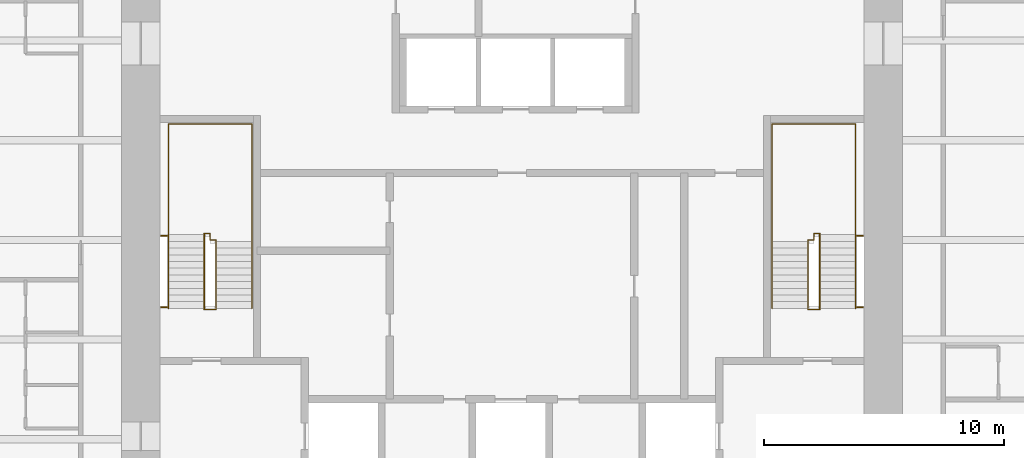
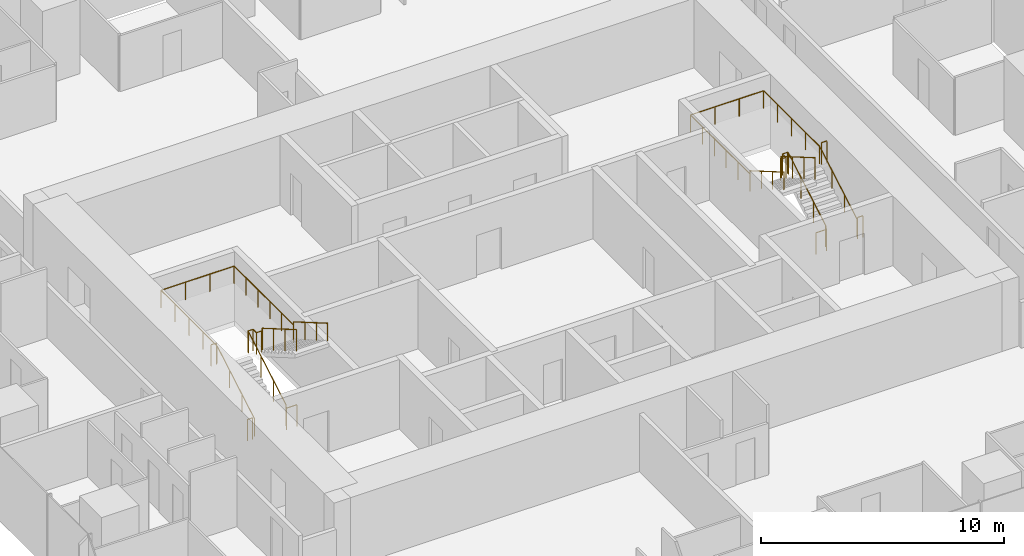
# One storey, part 12 of 12: 8 railings.
"""IFC4 building model written with IfcOpenShell, lengths in metres."""

from ifc_helpers import new_model, si_unit, direction, frame, origin, origin_2d, place, context, subcontext, project, spatial, circle, extrude, material, type_object, element, save


model = new_model("IFC4")

# Units and contexts
model_context = context("Model", 3, precision=1e-05, world=origin(), true_north=direction((0.0, 1.0)))
body_context = subcontext(model_context, "Body", "Model", "MODEL_VIEW")
ifc_project = project(units=[si_unit("LENGTHUNIT", "METRE"), si_unit("AREAUNIT", "SQUARE_METRE"), si_unit("VOLUMEUNIT", "CUBIC_METRE"), si_unit("PLANEANGLEUNIT", "RADIAN"), si_unit("MASSUNIT", "GRAM", prefix="KILO")], contexts=[model_context])

# Site, building, storey
site_placement = place(None, origin())
site = spatial("IfcSite", under=ifc_project, at=site_placement, CompositionType="ELEMENT")
building_placement = place(site_placement, origin())
building = spatial("IfcBuilding", under=site, at=building_placement, Name="Khuree Lantern Residences", CompositionType="ELEMENT")
storey_placement = place(building_placement, frame((0.0, 0.0, 218.25)))
storey = spatial("IfcBuildingStorey", under=building, at=storey_placement, Name="L54", CompositionType="ELEMENT", Elevation=218.25)

# Railings
ifc_material = material(Name="Steel S355", Category="steel")
railing_type_1 = type_object("IfcRailingType", Name="STAIR GUARD G1 1100", PredefinedType="GUARDRAIL", material=ifc_material)
railing_1_placement = place(storey_placement, frame((-12.35009765625, -2.909912109375, 0.0)))
element("IfcRailing", 1, at=railing_1_placement, inside=storey, type_object=railing_type_1, Name="Stair ST1 guard", PredefinedType="GUARDRAIL", context=body_context, shape_type="SweptSolid", body=[
    extrude(circle(Radius=0.02392578125, at=origin_2d()), frame((0.0, 0.0, 1.076171875), z_axis=(-1.0, 0.0, 0.0), x_axis=(0.0, -1.0, 0.0)), (0.0, 0.0, 1.0), 0.5),
    extrude(circle(Radius=0.02392578125, at=origin_2d()), frame((-0.5, 0.0, 1.076171875), z_axis=(0.0, 0.292073035251, 0.95639601739), x_axis=(-1.0, 0.0, 0.0)), (0.0, 0.0, 1.0), 0.17041015625),
    extrude(circle(Radius=0.02392578125, at=origin_2d()), frame((-0.5, 0.0498046875, 1.2392578125), z_axis=(0.0, 0.864176135923, 0.503189433615), x_axis=(-1.0, 0.0, 0.0)), (0.0, 0.0, 1.0), 3.564208984375),
    extrude(circle(Radius=0.02392578125, at=origin_2d()), frame((-0.5, 3.1298828125, 3.03271484375), z_axis=(0.0, 1.0, 0.0), x_axis=(-1.0, 0.0, 0.0)), (0.0, 0.0, 1.0), 0.050048828125),
    extrude(circle(Radius=0.02392578125, at=origin_2d()), frame((-0.5, 3.179931640625, 3.03271484375), z_axis=(1.0, 0.0, 0.0), x_axis=(0.0, 1.0, 0.0)), (0.0, 0.0, 1.0), 0.25),
    extrude(circle(Radius=0.02392578125, at=origin_2d()), frame((-0.25, 3.179931640625, 3.03271484375), z_axis=(0.0, -1.0, 0.0), x_axis=(1.0, 0.0, 0.0)), (0.0, 0.0, 1.0), 0.280029296875),
    extrude(circle(Radius=0.02392578125, at=origin_2d()), frame((-0.25, 2.89990234375, 3.03271484375), z_axis=(1.0, 0.0, 0.0), x_axis=(0.0, 1.0, 0.0)), (0.0, 0.0, 1.0), 0.25),
    extrude(circle(Radius=0.02392578125, at=origin_2d()), frame((0.0, 2.89990234375, 3.03271484375), z_axis=(0.0, -0.293381807449, 0.955995353053), x_axis=(1.0, 0.0, 0.0)), (0.0, 0.0, 1.0), 0.170654296875),
    extrude(circle(Radius=0.02392578125, at=origin_2d()), frame((0.0, 2.849853515625, 3.19580078125), z_axis=(0.0, -0.864180358799, 0.503182181189), x_axis=(1.0, 0.0, 0.0)), (0.0, 0.0, 1.0), 3.240234375),
    extrude(circle(Radius=0.02099609375, at=origin_2d()), origin(), (0.0, 0.0, 1.0), 1.052001953125),
    extrude(circle(Radius=0.02099609375, at=origin_2d()), frame((-0.5, 0.0, 0.0)), (0.0, 0.0, 1.0), 1.052001953125),
    extrude(circle(Radius=0.02099609375, at=origin_2d()), frame((-0.5, 0.0498046875, 0.1630859375)), (0.0, 0.0, 1.0), 1.052001953125),
    extrude(circle(Radius=0.02099609375, at=origin_2d()), frame((-0.5, 1.076416015625, 0.760986328125)), (0.0, 0.0, 1.0), 1.052001953125),
    extrude(circle(Radius=0.02099609375, at=origin_2d()), frame((-0.5, 2.103271484375, 1.358642578125)), (0.0, 0.0, 1.0), 1.052001953125),
    extrude(circle(Radius=0.02099609375, at=origin_2d()), frame((-0.5, 3.1298828125, 1.95654296875)), (0.0, 0.0, 1.0), 1.052001953125),
    extrude(circle(Radius=0.02099609375, at=origin_2d()), frame((-0.5, 3.179931640625, 1.95654296875)), (0.0, 0.0, 1.0), 1.052001953125),
    extrude(circle(Radius=0.02099609375, at=origin_2d()), frame((-0.25, 3.179931640625, 1.95654296875)), (0.0, 0.0, 1.0), 1.052001953125),
    extrude(circle(Radius=0.02099609375, at=origin_2d()), frame((-0.25, 2.89990234375, 1.95654296875)), (0.0, 0.0, 1.0), 1.052001953125),
    extrude(circle(Radius=0.02099609375, at=origin_2d()), frame((0.0, 2.89990234375, 1.95654296875)), (0.0, 0.0, 1.0), 1.052001953125),
    extrude(circle(Radius=0.02099609375, at=origin_2d()), frame((0.0, 2.849853515625, 2.11962890625)), (0.0, 0.0, 1.0), 1.052001953125),
    extrude(circle(Radius=0.02099609375, at=origin_2d()), frame((0.0, 1.91650390625, 2.6630859375)), (0.0, 0.0, 1.0), 1.052001953125),
    extrude(circle(Radius=0.02099609375, at=origin_2d()), frame((0.0, 0.983154296875, 3.20654296875)), (0.0, 0.0, 1.0), 1.052001953125),
    extrude(circle(Radius=0.02099609375, at=origin_2d()), frame((0.0, 0.0498046875, 3.75)), (0.0, 0.0, 1.0), 1.052001953125),
])
for number, where, name in (
    (2, (-14.64990234375, -2.81005859375, 0.0), "Stair ST1 landing slot guard"),
    (3, (-14.64990234375, 0.169921875, 1.95654296875), "Stair ST1 landing slot guard"),
):
    element("IfcRailing", number, at=place(storey_placement, frame(where)), inside=storey, type_object=railing_type_1, Name=name, PredefinedType="GUARDRAIL", context=body_context, shape_type="SweptSolid", body=[
        extrude(circle(Radius=0.02392578125, at=origin_2d()), frame((0.0, 0.0, 1.076171875), z_axis=(1.0, 0.0, 0.0), x_axis=(0.0, 1.0, 0.0)), (0.0, 0.0, 1.0), 0.25),
        extrude(circle(Radius=0.02099609375, at=origin_2d()), origin(), (0.0, 0.0, 1.0), 1.052001953125),
        extrude(circle(Radius=0.02099609375, at=origin_2d()), frame((0.25, 0.0, 0.0)), (0.0, 0.0, 1.0), 1.052001953125),
    ])
railing_2_placement = place(storey_placement, frame((12.35009765625, -2.909912109375, 0.0)))
element("IfcRailing", 4, at=railing_2_placement, inside=storey, type_object=railing_type_1, Name="Stair ST2 guard", PredefinedType="GUARDRAIL", context=body_context, shape_type="SweptSolid", body=[
    extrude(circle(Radius=0.02392578125, at=origin_2d()), frame((0.0, 0.0, 1.076171875), z_axis=(1.0, 0.0, 0.0), x_axis=(0.0, 1.0, 0.0)), (0.0, 0.0, 1.0), 0.5),
    extrude(circle(Radius=0.02392578125, at=origin_2d()), frame((0.5, 0.0, 1.076171875), z_axis=(0.0, 0.292073035251, 0.95639601739), x_axis=(-1.0, 0.0, 0.0)), (0.0, 0.0, 1.0), 0.17041015625),
    extrude(circle(Radius=0.02392578125, at=origin_2d()), frame((0.5, 0.0498046875, 1.2392578125), z_axis=(0.0, 0.864176135923, 0.503189433615), x_axis=(-1.0, 0.0, 0.0)), (0.0, 0.0, 1.0), 3.564208984375),
    extrude(circle(Radius=0.02392578125, at=origin_2d()), frame((0.5, 3.1298828125, 3.03271484375), z_axis=(0.0, 1.0, 0.0), x_axis=(-1.0, 0.0, 0.0)), (0.0, 0.0, 1.0), 0.050048828125),
    extrude(circle(Radius=0.02392578125, at=origin_2d()), frame((0.5, 3.179931640625, 3.03271484375), z_axis=(-1.0, 0.0, 0.0), x_axis=(0.0, -1.0, 0.0)), (0.0, 0.0, 1.0), 0.25),
    extrude(circle(Radius=0.02392578125, at=origin_2d()), frame((0.25, 3.179931640625, 3.03271484375), z_axis=(0.0, -1.0, 0.0), x_axis=(1.0, 0.0, 0.0)), (0.0, 0.0, 1.0), 0.280029296875),
    extrude(circle(Radius=0.02392578125, at=origin_2d()), frame((0.25, 2.89990234375, 3.03271484375), z_axis=(-1.0, 0.0, 0.0), x_axis=(0.0, -1.0, 0.0)), (0.0, 0.0, 1.0), 0.25),
    extrude(circle(Radius=0.02392578125, at=origin_2d()), frame((0.0, 2.89990234375, 3.03271484375), z_axis=(0.0, -0.293381807449, 0.955995353053), x_axis=(1.0, 0.0, 0.0)), (0.0, 0.0, 1.0), 0.170654296875),
    extrude(circle(Radius=0.02392578125, at=origin_2d()), frame((0.0, 2.849853515625, 3.19580078125), z_axis=(0.0, -0.864180358799, 0.503182181189), x_axis=(1.0, 0.0, 0.0)), (0.0, 0.0, 1.0), 3.240234375),
    extrude(circle(Radius=0.02099609375, at=origin_2d()), origin(), (0.0, 0.0, 1.0), 1.052001953125),
    extrude(circle(Radius=0.02099609375, at=origin_2d()), frame((0.5, 0.0, 0.0)), (0.0, 0.0, 1.0), 1.052001953125),
    extrude(circle(Radius=0.02099609375, at=origin_2d()), frame((0.5, 0.0498046875, 0.1630859375)), (0.0, 0.0, 1.0), 1.052001953125),
    extrude(circle(Radius=0.02099609375, at=origin_2d()), frame((0.5, 1.076416015625, 0.760986328125)), (0.0, 0.0, 1.0), 1.052001953125),
    extrude(circle(Radius=0.02099609375, at=origin_2d()), frame((0.5, 2.103271484375, 1.358642578125)), (0.0, 0.0, 1.0), 1.052001953125),
    extrude(circle(Radius=0.02099609375, at=origin_2d()), frame((0.5, 3.1298828125, 1.95654296875)), (0.0, 0.0, 1.0), 1.052001953125),
    extrude(circle(Radius=0.02099609375, at=origin_2d()), frame((0.5, 3.179931640625, 1.95654296875)), (0.0, 0.0, 1.0), 1.052001953125),
    extrude(circle(Radius=0.02099609375, at=origin_2d()), frame((0.25, 3.179931640625, 1.95654296875)), (0.0, 0.0, 1.0), 1.052001953125),
    extrude(circle(Radius=0.02099609375, at=origin_2d()), frame((0.25, 2.89990234375, 1.95654296875)), (0.0, 0.0, 1.0), 1.052001953125),
    extrude(circle(Radius=0.02099609375, at=origin_2d()), frame((0.0, 2.89990234375, 1.95654296875)), (0.0, 0.0, 1.0), 1.052001953125),
    extrude(circle(Radius=0.02099609375, at=origin_2d()), frame((0.0, 2.849853515625, 2.11962890625)), (0.0, 0.0, 1.0), 1.052001953125),
    extrude(circle(Radius=0.02099609375, at=origin_2d()), frame((0.0, 1.91650390625, 2.6630859375)), (0.0, 0.0, 1.0), 1.052001953125),
    extrude(circle(Radius=0.02099609375, at=origin_2d()), frame((0.0, 0.983154296875, 3.20654296875)), (0.0, 0.0, 1.0), 1.052001953125),
    extrude(circle(Radius=0.02099609375, at=origin_2d()), frame((0.0, 0.0498046875, 3.75)), (0.0, 0.0, 1.0), 1.052001953125),
])
for number, where, name in (
    (5, (14.64990234375, -2.81005859375, 0.0), "Stair ST2 landing slot guard"),
    (6, (14.64990234375, 0.169921875, 1.95654296875), "Stair ST2 landing slot guard"),
):
    element("IfcRailing", number, at=place(storey_placement, frame(where)), inside=storey, type_object=railing_type_1, Name=name, PredefinedType="GUARDRAIL", context=body_context, shape_type="SweptSolid", body=[
        extrude(circle(Radius=0.02392578125, at=origin_2d()), frame((0.0, 0.0, 1.076171875), z_axis=(-1.0, 0.0, 0.0), x_axis=(0.0, -1.0, 0.0)), (0.0, 0.0, 1.0), 0.25),
        extrude(circle(Radius=0.02099609375, at=origin_2d()), origin(), (0.0, 0.0, 1.0), 1.052001953125),
        extrude(circle(Radius=0.02099609375, at=origin_2d()), frame((-0.25, 0.0, 0.0)), (0.0, 0.0, 1.0), 1.052001953125),
    ])
railing_type_2 = type_object("IfcRailingType", Name="STAIR HANDRAIL H1 900", PredefinedType="HANDRAIL", material=ifc_material)
railing_3_placement = place(storey_placement, frame((-14.340087890625, -2.860107421875, 0.1630859375)))
element("IfcRailing", 7, at=railing_3_placement, inside=storey, type_object=railing_type_2, Name="Stair ST1 handrail", PredefinedType="HANDRAIL", context=body_context, shape_type="SweptSolid", body=[
    extrude(circle(Radius=0.02392578125, at=origin_2d()), frame((0.0, 0.0, 0.8759765625), z_axis=(0.0, 0.864176135923, 0.503189433615), x_axis=(-1.0, 0.0, 0.0)), (0.0, 0.0, 1.0), 3.564208984375),
    extrude(circle(Radius=0.02392578125, at=origin_2d()), frame((0.0, 3.080078125, 2.66943359375), z_axis=(0.0, 1.0, 0.0), x_axis=(-1.0, 0.0, 0.0)), (0.0, 0.0, 1.0), 4.6201171875),
    extrude(circle(Radius=0.02392578125, at=origin_2d()), frame((0.0, 7.7001953125, 2.66943359375), z_axis=(1.0, 0.0, 0.0), x_axis=(0.0, 1.0, 0.0)), (0.0, 0.0, 1.0), 3.47998046875),
    extrude(circle(Radius=0.02392578125, at=origin_2d()), frame((3.47998046875, 7.7001953125, 2.66943359375), z_axis=(0.0, -1.0, 0.0), x_axis=(1.0, 0.0, 0.0)), (0.0, 0.0, 1.0), 4.900146484375),
    extrude(circle(Radius=0.02392578125, at=origin_2d()), frame((3.47998046875, 2.800048828125, 2.66943359375), z_axis=(0.0, 0.0, 1.0), x_axis=(1.0, 0.0, 0.0)), (0.0, 0.0, 1.0), 0.1630859375),
    extrude(circle(Radius=0.02392578125, at=origin_2d()), frame((3.47998046875, 2.800048828125, 2.83251953125), z_axis=(0.0, -0.864180358799, 0.503182181189), x_axis=(1.0, 0.0, 0.0)), (0.0, 0.0, 1.0), 3.240234375),
    extrude(circle(Radius=0.02099609375, at=origin_2d()), origin(), (0.0, 0.0, 1.0), 0.851806640625),
    extrude(circle(Radius=0.02099609375, at=origin_2d()), frame((0.0, 1.026611328125, 0.597900390625)), (0.0, 0.0, 1.0), 0.851806640625),
    extrude(circle(Radius=0.02099609375, at=origin_2d()), frame((0.0, 2.053466796875, 1.195556640625)), (0.0, 0.0, 1.0), 0.851806640625),
    extrude(circle(Radius=0.02099609375, at=origin_2d()), frame((0.0, 3.080078125, 1.79345703125)), (0.0, 0.0, 1.0), 0.851806640625),
    extrude(circle(Radius=0.02099609375, at=origin_2d()), frame((0.0, 4.235107421875, 1.79345703125)), (0.0, 0.0, 1.0), 0.851806640625),
    extrude(circle(Radius=0.02099609375, at=origin_2d()), frame((0.0, 5.39013671875, 1.79345703125)), (0.0, 0.0, 1.0), 0.851806640625),
    extrude(circle(Radius=0.02099609375, at=origin_2d()), frame((0.0, 6.545166015625, 1.79345703125)), (0.0, 0.0, 1.0), 0.851806640625),
    extrude(circle(Radius=0.02099609375, at=origin_2d()), frame((0.0, 7.7001953125, 1.79345703125)), (0.0, 0.0, 1.0), 0.851806640625),
    extrude(circle(Radius=0.02099609375, at=origin_2d()), frame((1.159912109375, 7.7001953125, 1.79345703125)), (0.0, 0.0, 1.0), 0.851806640625),
    extrude(circle(Radius=0.02099609375, at=origin_2d()), frame((2.320068359375, 7.7001953125, 1.79345703125)), (0.0, 0.0, 1.0), 0.851806640625),
    extrude(circle(Radius=0.02099609375, at=origin_2d()), frame((3.47998046875, 7.7001953125, 1.79345703125)), (0.0, 0.0, 1.0), 0.851806640625),
    extrude(circle(Radius=0.02099609375, at=origin_2d()), frame((3.47998046875, 6.72021484375, 1.79345703125)), (0.0, 0.0, 1.0), 0.851806640625),
    extrude(circle(Radius=0.02099609375, at=origin_2d()), frame((3.47998046875, 5.740234375, 1.79345703125)), (0.0, 0.0, 1.0), 0.851806640625),
    extrude(circle(Radius=0.02099609375, at=origin_2d()), frame((3.47998046875, 4.760009765625, 1.79345703125)), (0.0, 0.0, 1.0), 0.851806640625),
    extrude(circle(Radius=0.02099609375, at=origin_2d()), frame((3.47998046875, 3.780029296875, 1.79345703125)), (0.0, 0.0, 1.0), 0.851806640625),
    extrude(circle(Radius=0.02099609375, at=origin_2d()), frame((3.47998046875, 2.800048828125, 1.79345703125)), (0.0, 0.0, 1.0), 0.851806640625),
    extrude(circle(Radius=0.02099609375, at=origin_2d()), frame((3.47998046875, 2.800048828125, 1.95654296875)), (0.0, 0.0, 1.0), 0.851806640625),
    extrude(circle(Radius=0.02099609375, at=origin_2d()), frame((3.47998046875, 1.86669921875, 2.5)), (0.0, 0.0, 1.0), 0.851806640625),
    extrude(circle(Radius=0.02099609375, at=origin_2d()), frame((3.47998046875, 0.933349609375, 3.04345703125)), (0.0, 0.0, 1.0), 0.851806640625),
    extrude(circle(Radius=0.02099609375, at=origin_2d()), frame((3.47998046875, 0.0, 3.5869140625)), (0.0, 0.0, 1.0), 0.851806640625),
])
railing_4_placement = place(storey_placement, frame((14.340087890625, -2.860107421875, 0.1630859375)))
element("IfcRailing", 8, at=railing_4_placement, inside=storey, type_object=railing_type_2, Name="Stair ST2 handrail", PredefinedType="HANDRAIL", context=body_context, shape_type="SweptSolid", body=[
    extrude(circle(Radius=0.02392578125, at=origin_2d()), frame((0.0, 0.0, 0.8759765625), z_axis=(0.0, 0.864176135923, 0.503189433615), x_axis=(-1.0, 0.0, 0.0)), (0.0, 0.0, 1.0), 3.564208984375),
    extrude(circle(Radius=0.02392578125, at=origin_2d()), frame((0.0, 3.080078125, 2.66943359375), z_axis=(0.0, 1.0, 0.0), x_axis=(-1.0, 0.0, 0.0)), (0.0, 0.0, 1.0), 4.6201171875),
    extrude(circle(Radius=0.02392578125, at=origin_2d()), frame((0.0, 7.7001953125, 2.66943359375), z_axis=(-1.0, 0.0, 0.0), x_axis=(0.0, -1.0, 0.0)), (0.0, 0.0, 1.0), 3.47998046875),
    extrude(circle(Radius=0.02392578125, at=origin_2d()), frame((-3.47998046875, 7.7001953125, 2.66943359375), z_axis=(0.0, -1.0, 0.0), x_axis=(1.0, 0.0, 0.0)), (0.0, 0.0, 1.0), 4.900146484375),
    extrude(circle(Radius=0.02392578125, at=origin_2d()), frame((-3.47998046875, 2.800048828125, 2.66943359375), z_axis=(0.0, 0.0, 1.0), x_axis=(1.0, 0.0, 0.0)), (0.0, 0.0, 1.0), 0.1630859375),
    extrude(circle(Radius=0.02392578125, at=origin_2d()), frame((-3.47998046875, 2.800048828125, 2.83251953125), z_axis=(0.0, -0.864180358799, 0.503182181189), x_axis=(1.0, 0.0, 0.0)), (0.0, 0.0, 1.0), 3.240234375),
    extrude(circle(Radius=0.02099609375, at=origin_2d()), origin(), (0.0, 0.0, 1.0), 0.851806640625),
    extrude(circle(Radius=0.02099609375, at=origin_2d()), frame((0.0, 1.026611328125, 0.597900390625)), (0.0, 0.0, 1.0), 0.851806640625),
    extrude(circle(Radius=0.02099609375, at=origin_2d()), frame((0.0, 2.053466796875, 1.195556640625)), (0.0, 0.0, 1.0), 0.851806640625),
    extrude(circle(Radius=0.02099609375, at=origin_2d()), frame((0.0, 3.080078125, 1.79345703125)), (0.0, 0.0, 1.0), 0.851806640625),
    extrude(circle(Radius=0.02099609375, at=origin_2d()), frame((0.0, 4.235107421875, 1.79345703125)), (0.0, 0.0, 1.0), 0.851806640625),
    extrude(circle(Radius=0.02099609375, at=origin_2d()), frame((0.0, 5.39013671875, 1.79345703125)), (0.0, 0.0, 1.0), 0.851806640625),
    extrude(circle(Radius=0.02099609375, at=origin_2d()), frame((0.0, 6.545166015625, 1.79345703125)), (0.0, 0.0, 1.0), 0.851806640625),
    extrude(circle(Radius=0.02099609375, at=origin_2d()), frame((0.0, 7.7001953125, 1.79345703125)), (0.0, 0.0, 1.0), 0.851806640625),
    extrude(circle(Radius=0.02099609375, at=origin_2d()), frame((-1.159912109375, 7.7001953125, 1.79345703125)), (0.0, 0.0, 1.0), 0.851806640625),
    extrude(circle(Radius=0.02099609375, at=origin_2d()), frame((-2.320068359375, 7.7001953125, 1.79345703125)), (0.0, 0.0, 1.0), 0.851806640625),
    extrude(circle(Radius=0.02099609375, at=origin_2d()), frame((-3.47998046875, 7.7001953125, 1.79345703125)), (0.0, 0.0, 1.0), 0.851806640625),
    extrude(circle(Radius=0.02099609375, at=origin_2d()), frame((-3.47998046875, 6.72021484375, 1.79345703125)), (0.0, 0.0, 1.0), 0.851806640625),
    extrude(circle(Radius=0.02099609375, at=origin_2d()), frame((-3.47998046875, 5.740234375, 1.79345703125)), (0.0, 0.0, 1.0), 0.851806640625),
    extrude(circle(Radius=0.02099609375, at=origin_2d()), frame((-3.47998046875, 4.760009765625, 1.79345703125)), (0.0, 0.0, 1.0), 0.851806640625),
    extrude(circle(Radius=0.02099609375, at=origin_2d()), frame((-3.47998046875, 3.780029296875, 1.79345703125)), (0.0, 0.0, 1.0), 0.851806640625),
    extrude(circle(Radius=0.02099609375, at=origin_2d()), frame((-3.47998046875, 2.800048828125, 1.79345703125)), (0.0, 0.0, 1.0), 0.851806640625),
    extrude(circle(Radius=0.02099609375, at=origin_2d()), frame((-3.47998046875, 2.800048828125, 1.95654296875)), (0.0, 0.0, 1.0), 0.851806640625),
    extrude(circle(Radius=0.02099609375, at=origin_2d()), frame((-3.47998046875, 1.86669921875, 2.5)), (0.0, 0.0, 1.0), 0.851806640625),
    extrude(circle(Radius=0.02099609375, at=origin_2d()), frame((-3.47998046875, 0.933349609375, 3.04345703125)), (0.0, 0.0, 1.0), 0.851806640625),
    extrude(circle(Radius=0.02099609375, at=origin_2d()), frame((-3.47998046875, 0.0, 3.5869140625)), (0.0, 0.0, 1.0), 0.851806640625),
])

save(model, "model.ifc")
